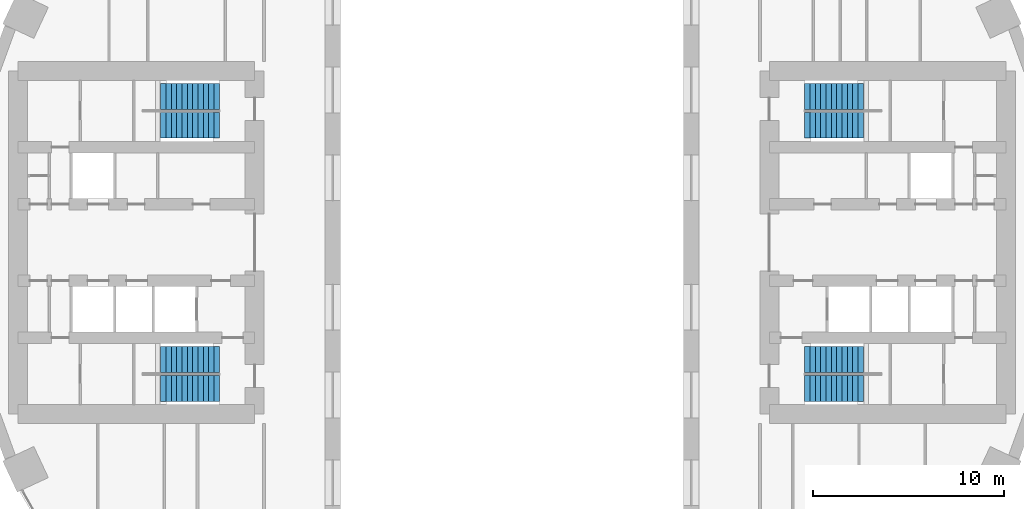
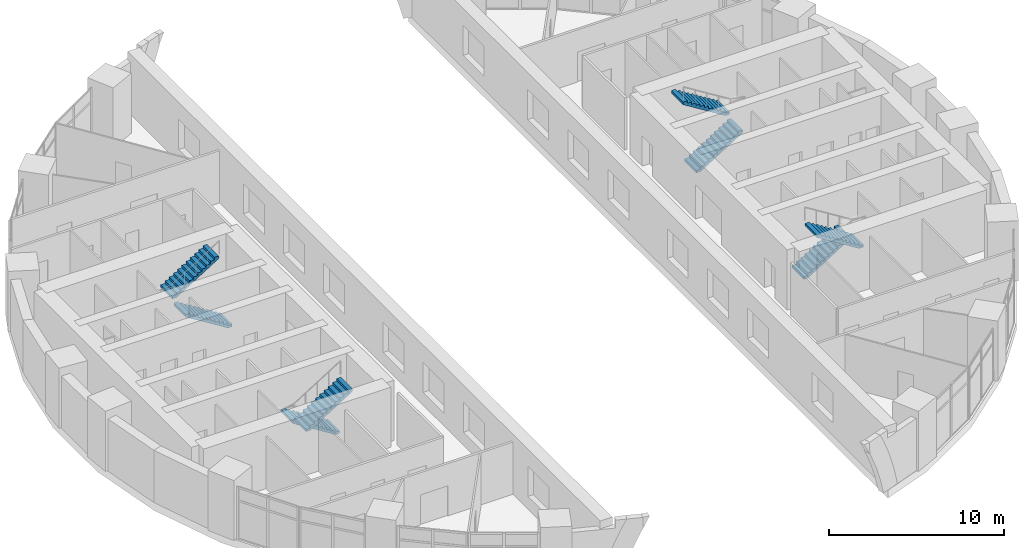
# One storey, part 12 of 13: 8 stair flights, 4 elements without a shape of their own.
"""IFC4 building model written with IfcOpenShell, lengths in metres."""

from ifc_helpers import new_model, si_unit, direction, frame, origin, place, context, subcontext, project, spatial, polyline, outline, extrude, material, type_object, element, aggregate, save


model = new_model("IFC4")

# Units and contexts
model_context = context("Model", 3, precision=1e-05, world=origin(), true_north=direction((0.0, 1.0)))
body_context = subcontext(model_context, "Body", "Model", "MODEL_VIEW")
ifc_project = project(units=[si_unit("LENGTHUNIT", "METRE"), si_unit("AREAUNIT", "SQUARE_METRE"), si_unit("VOLUMEUNIT", "CUBIC_METRE"), si_unit("PLANEANGLEUNIT", "RADIAN"), si_unit("MASSUNIT", "GRAM", prefix="KILO")], contexts=[model_context])

# Site, building, storey
site_placement = place(None, origin())
site = spatial("IfcSite", under=ifc_project, at=site_placement, CompositionType="ELEMENT")
building_placement = place(site_placement, origin())
building = spatial("IfcBuilding", under=site, at=building_placement, Name="Saqina Gate Tower", CompositionType="ELEMENT")
storey_placement = place(building_placement, frame((0.0, 0.0, 9.199951171875)))
storey = spatial("IfcBuildingStorey", under=building, at=storey_placement, Name="L02", CompositionType="ELEMENT", Elevation=9.199951171875)

# Stair, stair flights
ifc_material_1 = material(Name="Concrete C40/50", Category="concrete")
stair_type = type_object("IfcStairType", Name="EXIT STAIR", PredefinedType="HALF_TURN_STAIR", material=ifc_material_1)
stair_1_placement = place(storey_placement, origin())
stair_1 = element("IfcStair", 1, at=stair_1_placement, inside=storey, type_object=stair_type, Name="EXIT STAIR 1", PredefinedType="HALF_TURN_STAIR")
ifc_material_2 = material(Name="Concrete C40/50", Category="concrete")
stair_flight_type = type_object("IfcStairFlightType", Name="EXIT STAIR FLIGHT", PredefinedType="STRAIGHT", material=ifc_material_2)
stair_flight_1_placement = place(storey_placement, frame((15.35009765625, 6.1416015625, 0.0), z_axis=(0.0, 0.0, 1.0), x_axis=(1.0, 0.0, 0.0)))
stair_flight_1 = element("IfcStairFlight", 2, at=stair_flight_1_placement, type_object=stair_flight_type, Name="EXIT STAIR 1 FLIGHT 1", NumberOfRisers=12, NumberOfTreads=11, PredefinedType="STRAIGHT", RiserHeight=0.175, TreadLength=0.28, context=body_context, shape_type="SweptSolid", body=[
    extrude(outline(polyline([(0.0, 0.0), (0.0, 0.175048828125), (0.280029296875, 0.175048828125), (0.280029296875, 0.35009765625), (0.56005859375, 0.35009765625), (0.56005859375, 0.52490234375), (0.840087890625, 0.52490234375), (0.840087890625, 0.699951171875), (1.1201171875, 0.699951171875), (1.1201171875, 0.875), (1.39990234375, 0.875), (1.39990234375, 1.050048828125), (1.679931640625, 1.050048828125), (1.679931640625, 1.22509765625), (1.9599609375, 1.22509765625), (1.9599609375, 1.39990234375), (2.239990234375, 1.39990234375), (2.239990234375, 1.574951171875), (2.52001953125, 1.574951171875), (2.52001953125, 1.75), (2.800048828125, 1.75), (2.800048828125, 1.925048828125), (3.080078125, 1.925048828125), (3.080078125, 2.10009765625), (3.080078125, 1.748291015625), (0.28271484375, 0.0), (0.0, 0.0)])), frame((0.0, 0.675048828125, 0.0), z_axis=(0.0, -1.0, 0.0), x_axis=(1.0, 0.0, 0.0)), (0.0, 0.0, 1.0), 1.35009765625),
])
stair_flight_2_placement = place(storey_placement, frame((18.429931640625, 7.658447265625, 2.10009765625), z_axis=(0.0, 0.0, 1.0), x_axis=(-1.0, 0.0, 0.0)))
stair_flight_2 = element("IfcStairFlight", 3, at=stair_flight_2_placement, type_object=stair_flight_type, Name="EXIT STAIR 1 FLIGHT 2", NumberOfRisers=12, NumberOfTreads=11, PredefinedType="STRAIGHT", RiserHeight=0.175, TreadLength=0.28, context=body_context, shape_type="SweptSolid", body=[
    extrude(outline(polyline([(0.0, 0.0), (0.0, 0.175048828125), (0.280029296875, 0.175048828125), (0.280029296875, 0.35009765625), (0.56005859375, 0.35009765625), (0.56005859375, 0.52490234375), (0.840087890625, 0.52490234375), (0.840087890625, 0.699951171875), (1.1201171875, 0.699951171875), (1.1201171875, 0.875), (1.39990234375, 0.875), (1.39990234375, 1.050048828125), (1.679931640625, 1.050048828125), (1.679931640625, 1.22509765625), (1.9599609375, 1.22509765625), (1.9599609375, 1.39990234375), (2.239990234375, 1.39990234375), (2.239990234375, 1.574951171875), (2.52001953125, 1.574951171875), (2.52001953125, 1.75), (2.800048828125, 1.75), (2.800048828125, 1.925048828125), (3.080078125, 1.925048828125), (3.080078125, 2.10009765625), (3.080078125, 1.748291015625), (0.28271484375, 0.0), (0.0, 0.0)])), frame((0.0, 0.675048828125, 0.0), z_axis=(0.0, -1.0, 0.0), x_axis=(1.0, 0.0, 0.0)), (0.0, 0.0, 1.0), 1.35009765625),
])
aggregate(stair_1, [stair_flight_1, stair_flight_2])

stair_2_placement = place(storey_placement, origin())
stair_2 = element("IfcStair", 4, at=stair_2_placement, inside=storey, type_object=stair_type, Name="EXIT STAIR 2", PredefinedType="HALF_TURN_STAIR")
stair_flight_3_placement = place(storey_placement, frame((15.35009765625, -6.1416015625, 0.0), z_axis=(0.0, 0.0, 1.0), x_axis=(1.0, 0.0, 0.0)))
stair_flight_3 = element("IfcStairFlight", 5, at=stair_flight_3_placement, type_object=stair_flight_type, Name="EXIT STAIR 2 FLIGHT 1", NumberOfRisers=12, NumberOfTreads=11, PredefinedType="STRAIGHT", RiserHeight=0.175, TreadLength=0.28, context=body_context, shape_type="SweptSolid", body=[
    extrude(outline(polyline([(0.0, 0.0), (0.0, 0.175048828125), (0.280029296875, 0.175048828125), (0.280029296875, 0.35009765625), (0.56005859375, 0.35009765625), (0.56005859375, 0.52490234375), (0.840087890625, 0.52490234375), (0.840087890625, 0.699951171875), (1.1201171875, 0.699951171875), (1.1201171875, 0.875), (1.39990234375, 0.875), (1.39990234375, 1.050048828125), (1.679931640625, 1.050048828125), (1.679931640625, 1.22509765625), (1.9599609375, 1.22509765625), (1.9599609375, 1.39990234375), (2.239990234375, 1.39990234375), (2.239990234375, 1.574951171875), (2.52001953125, 1.574951171875), (2.52001953125, 1.75), (2.800048828125, 1.75), (2.800048828125, 1.925048828125), (3.080078125, 1.925048828125), (3.080078125, 2.10009765625), (3.080078125, 1.748291015625), (0.28271484375, 0.0), (0.0, 0.0)])), frame((0.0, 0.675048828125, 0.0), z_axis=(0.0, -1.0, 0.0), x_axis=(1.0, 0.0, 0.0)), (0.0, 0.0, 1.0), 1.35009765625),
])
stair_flight_4_placement = place(storey_placement, frame((18.429931640625, -7.658447265625, 2.10009765625), z_axis=(0.0, 0.0, 1.0), x_axis=(-1.0, 0.0, 0.0)))
stair_flight_4 = element("IfcStairFlight", 6, at=stair_flight_4_placement, type_object=stair_flight_type, Name="EXIT STAIR 2 FLIGHT 2", NumberOfRisers=12, NumberOfTreads=11, PredefinedType="STRAIGHT", RiserHeight=0.175, TreadLength=0.28, context=body_context, shape_type="SweptSolid", body=[
    extrude(outline(polyline([(0.0, 0.0), (0.0, 0.175048828125), (0.280029296875, 0.175048828125), (0.280029296875, 0.35009765625), (0.56005859375, 0.35009765625), (0.56005859375, 0.52490234375), (0.840087890625, 0.52490234375), (0.840087890625, 0.699951171875), (1.1201171875, 0.699951171875), (1.1201171875, 0.875), (1.39990234375, 0.875), (1.39990234375, 1.050048828125), (1.679931640625, 1.050048828125), (1.679931640625, 1.22509765625), (1.9599609375, 1.22509765625), (1.9599609375, 1.39990234375), (2.239990234375, 1.39990234375), (2.239990234375, 1.574951171875), (2.52001953125, 1.574951171875), (2.52001953125, 1.75), (2.800048828125, 1.75), (2.800048828125, 1.925048828125), (3.080078125, 1.925048828125), (3.080078125, 2.10009765625), (3.080078125, 1.748291015625), (0.28271484375, 0.0), (0.0, 0.0)])), frame((0.0, 0.675048828125, 0.0), z_axis=(0.0, -1.0, 0.0), x_axis=(1.0, 0.0, 0.0)), (0.0, 0.0, 1.0), 1.35009765625),
])
aggregate(stair_2, [stair_flight_3, stair_flight_4])

stair_3_placement = place(storey_placement, origin())
stair_3 = element("IfcStair", 7, at=stair_3_placement, inside=storey, type_object=stair_type, Name="EXIT STAIR 3", PredefinedType="HALF_TURN_STAIR")
stair_flight_5_placement = place(storey_placement, frame((-15.35009765625, 6.1416015625, 0.0), z_axis=(0.0, 0.0, 1.0), x_axis=(-1.0, 0.0, 0.0)))
stair_flight_5 = element("IfcStairFlight", 8, at=stair_flight_5_placement, type_object=stair_flight_type, Name="EXIT STAIR 3 FLIGHT 1", NumberOfRisers=12, NumberOfTreads=11, PredefinedType="STRAIGHT", RiserHeight=0.175, TreadLength=0.28, context=body_context, shape_type="SweptSolid", body=[
    extrude(outline(polyline([(0.0, 0.0), (0.0, 0.175048828125), (0.280029296875, 0.175048828125), (0.280029296875, 0.35009765625), (0.56005859375, 0.35009765625), (0.56005859375, 0.52490234375), (0.840087890625, 0.52490234375), (0.840087890625, 0.699951171875), (1.1201171875, 0.699951171875), (1.1201171875, 0.875), (1.39990234375, 0.875), (1.39990234375, 1.050048828125), (1.679931640625, 1.050048828125), (1.679931640625, 1.22509765625), (1.9599609375, 1.22509765625), (1.9599609375, 1.39990234375), (2.239990234375, 1.39990234375), (2.239990234375, 1.574951171875), (2.52001953125, 1.574951171875), (2.52001953125, 1.75), (2.800048828125, 1.75), (2.800048828125, 1.925048828125), (3.080078125, 1.925048828125), (3.080078125, 2.10009765625), (3.080078125, 1.748291015625), (0.28271484375, 0.0), (0.0, 0.0)])), frame((0.0, 0.675048828125, 0.0), z_axis=(0.0, -1.0, 0.0), x_axis=(1.0, 0.0, 0.0)), (0.0, 0.0, 1.0), 1.35009765625),
])
stair_flight_6_placement = place(storey_placement, frame((-18.429931640625, 7.658447265625, 2.10009765625), z_axis=(0.0, 0.0, 1.0), x_axis=(1.0, 0.0, 0.0)))
stair_flight_6 = element("IfcStairFlight", 9, at=stair_flight_6_placement, type_object=stair_flight_type, Name="EXIT STAIR 3 FLIGHT 2", NumberOfRisers=12, NumberOfTreads=11, PredefinedType="STRAIGHT", RiserHeight=0.175, TreadLength=0.28, context=body_context, shape_type="SweptSolid", body=[
    extrude(outline(polyline([(0.0, 0.0), (0.0, 0.175048828125), (0.280029296875, 0.175048828125), (0.280029296875, 0.35009765625), (0.56005859375, 0.35009765625), (0.56005859375, 0.52490234375), (0.840087890625, 0.52490234375), (0.840087890625, 0.699951171875), (1.1201171875, 0.699951171875), (1.1201171875, 0.875), (1.39990234375, 0.875), (1.39990234375, 1.050048828125), (1.679931640625, 1.050048828125), (1.679931640625, 1.22509765625), (1.9599609375, 1.22509765625), (1.9599609375, 1.39990234375), (2.239990234375, 1.39990234375), (2.239990234375, 1.574951171875), (2.52001953125, 1.574951171875), (2.52001953125, 1.75), (2.800048828125, 1.75), (2.800048828125, 1.925048828125), (3.080078125, 1.925048828125), (3.080078125, 2.10009765625), (3.080078125, 1.748291015625), (0.28271484375, 0.0), (0.0, 0.0)])), frame((0.0, 0.675048828125, 0.0), z_axis=(0.0, -1.0, 0.0), x_axis=(1.0, 0.0, 0.0)), (0.0, 0.0, 1.0), 1.35009765625),
])
aggregate(stair_3, [stair_flight_5, stair_flight_6])

stair_4_placement = place(storey_placement, origin())
stair_4 = element("IfcStair", 10, at=stair_4_placement, inside=storey, type_object=stair_type, Name="EXIT STAIR 4", PredefinedType="HALF_TURN_STAIR")
stair_flight_7_placement = place(storey_placement, frame((-15.35009765625, -6.1416015625, 0.0), z_axis=(0.0, 0.0, 1.0), x_axis=(-1.0, 0.0, 0.0)))
stair_flight_7 = element("IfcStairFlight", 11, at=stair_flight_7_placement, type_object=stair_flight_type, Name="EXIT STAIR 4 FLIGHT 1", NumberOfRisers=12, NumberOfTreads=11, PredefinedType="STRAIGHT", RiserHeight=0.175, TreadLength=0.28, context=body_context, shape_type="SweptSolid", body=[
    extrude(outline(polyline([(0.0, 0.0), (0.0, 0.175048828125), (0.280029296875, 0.175048828125), (0.280029296875, 0.35009765625), (0.56005859375, 0.35009765625), (0.56005859375, 0.52490234375), (0.840087890625, 0.52490234375), (0.840087890625, 0.699951171875), (1.1201171875, 0.699951171875), (1.1201171875, 0.875), (1.39990234375, 0.875), (1.39990234375, 1.050048828125), (1.679931640625, 1.050048828125), (1.679931640625, 1.22509765625), (1.9599609375, 1.22509765625), (1.9599609375, 1.39990234375), (2.239990234375, 1.39990234375), (2.239990234375, 1.574951171875), (2.52001953125, 1.574951171875), (2.52001953125, 1.75), (2.800048828125, 1.75), (2.800048828125, 1.925048828125), (3.080078125, 1.925048828125), (3.080078125, 2.10009765625), (3.080078125, 1.748291015625), (0.28271484375, 0.0), (0.0, 0.0)])), frame((0.0, 0.675048828125, 0.0), z_axis=(0.0, -1.0, 0.0), x_axis=(1.0, 0.0, 0.0)), (0.0, 0.0, 1.0), 1.35009765625),
])
stair_flight_8_placement = place(storey_placement, frame((-18.429931640625, -7.658447265625, 2.10009765625), z_axis=(0.0, 0.0, 1.0), x_axis=(1.0, 0.0, 0.0)))
stair_flight_8 = element("IfcStairFlight", 12, at=stair_flight_8_placement, type_object=stair_flight_type, Name="EXIT STAIR 4 FLIGHT 2", NumberOfRisers=12, NumberOfTreads=11, PredefinedType="STRAIGHT", RiserHeight=0.175, TreadLength=0.28, context=body_context, shape_type="SweptSolid", body=[
    extrude(outline(polyline([(0.0, 0.0), (0.0, 0.175048828125), (0.280029296875, 0.175048828125), (0.280029296875, 0.35009765625), (0.56005859375, 0.35009765625), (0.56005859375, 0.52490234375), (0.840087890625, 0.52490234375), (0.840087890625, 0.699951171875), (1.1201171875, 0.699951171875), (1.1201171875, 0.875), (1.39990234375, 0.875), (1.39990234375, 1.050048828125), (1.679931640625, 1.050048828125), (1.679931640625, 1.22509765625), (1.9599609375, 1.22509765625), (1.9599609375, 1.39990234375), (2.239990234375, 1.39990234375), (2.239990234375, 1.574951171875), (2.52001953125, 1.574951171875), (2.52001953125, 1.75), (2.800048828125, 1.75), (2.800048828125, 1.925048828125), (3.080078125, 1.925048828125), (3.080078125, 2.10009765625), (3.080078125, 1.748291015625), (0.28271484375, 0.0), (0.0, 0.0)])), frame((0.0, 0.675048828125, 0.0), z_axis=(0.0, -1.0, 0.0), x_axis=(1.0, 0.0, 0.0)), (0.0, 0.0, 1.0), 1.35009765625),
])
aggregate(stair_4, [stair_flight_7, stair_flight_8])

save(model, "model.ifc")
